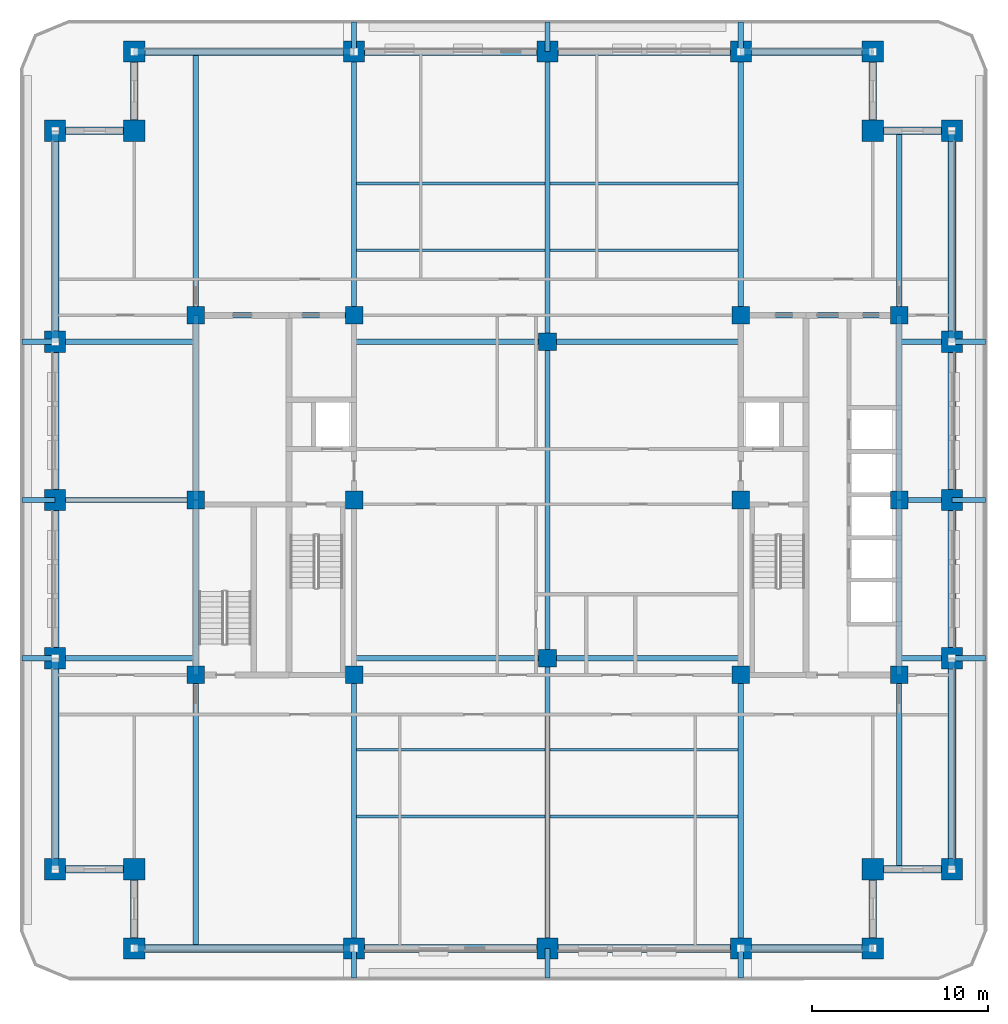
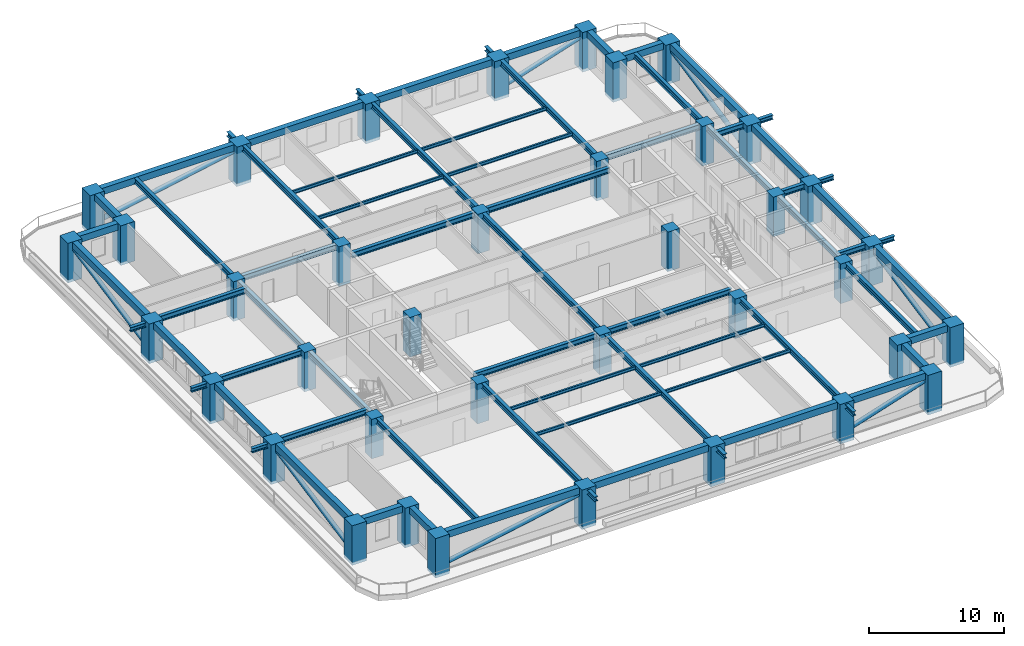
# One storey, part 1 of 14: 71 beams, 38 columns, 8 members.
"""IFC4 building model written with IfcOpenShell, lengths in metres."""

from ifc_helpers import new_model, si_unit, direction, frame, origin, origin_2d, place, context, subcontext, project, spatial, rectangle, hollow_circle, i_section, extrude, material, material_profile, profile_set, type_object, element, save


model = new_model("IFC4")

# Units and contexts
model_context = context("Model", 3, precision=1e-05, world=origin(), true_north=direction((0.0, 1.0)))
body_context = subcontext(model_context, "Body", "Model", "MODEL_VIEW")
ifc_project = project(units=[si_unit("LENGTHUNIT", "METRE"), si_unit("AREAUNIT", "SQUARE_METRE"), si_unit("VOLUMEUNIT", "CUBIC_METRE"), si_unit("PLANEANGLEUNIT", "RADIAN"), si_unit("MASSUNIT", "GRAM", prefix="KILO")], contexts=[model_context])

# Site, building, storey
site_placement = place(None, origin())
site = spatial("IfcSite", under=ifc_project, at=site_placement, CompositionType="ELEMENT")
building_placement = place(site_placement, origin())
building = spatial("IfcBuilding", under=site, at=building_placement, Name="Zulmaris Gate Convention Tower", CompositionType="ELEMENT")
storey_placement = place(building_placement, frame((0.0, 0.0, 135.6298828125)))
storey = spatial("IfcBuildingStorey", under=building, at=storey_placement, Name="L34", CompositionType="ELEMENT", Elevation=135.6298828125)

# Columns
ifc_material_1 = material(Name="Concrete C60/75", Category="concrete")
ifc_material_profile_1 = material_profile(ifc_material_1, rectangle(XDim=1.0, YDim=1.0, at=origin_2d()), Name="RC COL 1000x1000")
ifc_profile_set_1 = profile_set([ifc_material_profile_1], Name="Concrete C60/75")
column_type_1 = type_object("IfcColumnType", Name="COL-RC1000", PredefinedType="COLUMN", material=ifc_profile_set_1)
for number, where, z_axis, x_axis, name in (
    (1, (-20.0, -9.949951171875, -0.25), (0.0, 0.0, 1.0), (1.0, 0.0, 0.0), "L34 Column IN--20.00_-9.95"),
    (2, (-20.0, 10.5, -0.25), (0.0, 0.0, 1.0), (1.0, 0.0, 0.0), "L34 Column IN--20.00_+10.50"),
    (3, (-11.0, -9.949951171875, -0.25), (0.0, 0.0, 1.0), (1.0, 0.0, 0.0), "L34 Column IN--11.00_-9.95"),
    (4, (-11.0, 0.0, -0.25), (0.0, 0.0, 1.0), (1.0, 0.0, 0.0), "L34 Column IN--11.00_+0.00"),
    (5, (-11.0, 10.5, -0.25), (0.0, 0.0, 1.0), (1.0, 0.0, 0.0), "L34 Column IN--11.00_+10.50"),
    (6, (11.0, -9.949951171875, -0.25), (0.0, 0.0, 1.0), (1.0, 0.0, 0.0), "L34 Column IN-+11.00_-9.95"),
    (7, (11.0, 0.0, -0.25), (0.0, 0.0, 1.0), (1.0, 0.0, 0.0), "L34 Column IN-+11.00_+0.00"),
    (8, (11.0, 10.5, -0.25), (0.0, 0.0, 1.0), (1.0, 0.0, 0.0), "L34 Column IN-+11.00_+10.50"),
    (9, (20.0, -9.949951171875, -0.25), (0.0, 0.0, 1.0), (1.0, 0.0, 0.0), "L34 Column IN-+20.00_-9.95"),
    (10, (20.0, 10.5, -0.25), (0.0, 0.0, 1.0), (1.0, 0.0, 0.0), "L34 Column IN-+20.00_+10.50"),
    (11, (0.0, -9.0, -0.25), (0.0, 0.0, 1.0), (1.0, 0.0, 0.0), "L34 Column IN-+0.00_-9.00"),
    (12, (0.0, 9.0, -0.25), (0.0, 0.0, 1.0), (1.0, 0.0, 0.0), "L34 Column IN-+0.00_+9.00"),
    (13, (-20.0, 0.0, -0.25), (0.0, 0.0, 1.0), (1.0, 0.0, 0.0), "L34 Column IN--20.00_+0.00"),
    (14, (20.0, 0.0, -0.25), (0.0, 0.0, 1.0), (1.0, 0.0, 0.0), "L34 Column IN-+20.00_+0.00"),
):
    element("IfcColumn", number, at=place(storey_placement, frame(where, z_axis=z_axis, x_axis=x_axis)), inside=storey, type_object=column_type_1, Name=name, PredefinedType="COLUMN", context=body_context, shape_type="SweptSolid", body=[
        extrude(rectangle(XDim=1.0, YDim=1.0, at=origin_2d()), origin(), (0.0, 0.0, 1.0), 3.570068359375),
    ])
ifc_material_2 = material(Name="Concrete C70/85", Category="concrete")
ifc_material_profile_2 = material_profile(ifc_material_2, rectangle(XDim=1.199951171875, YDim=1.199951171875, at=origin_2d()), Name="RC COL 1200x1200")
ifc_profile_set_2 = profile_set([ifc_material_profile_2], Name="Concrete C70/85")
column_type_2 = type_object("IfcColumnType", Name="COL-RC1200", PredefinedType="COLUMN", material=ifc_profile_set_2)
for number, where, z_axis, x_axis, name in (
    (15, (-23.5, -25.5, -0.25), (0.0, 0.0, 1.0), (1.0, 0.0, 0.0), "L34 Column PT--23.50_-25.50"),
    (16, (-11.0, -25.5, -0.25), (0.0, 0.0, 1.0), (1.0, 0.0, 0.0), "L34 Column PT--11.00_-25.50"),
    (17, (0.0, -25.5, -0.25), (0.0, 0.0, 1.0), (1.0, 0.0, 0.0), "L34 Column PT-+0.00_-25.50"),
    (18, (11.0, -25.5, -0.25), (0.0, 0.0, 1.0), (1.0, 0.0, 0.0), "L34 Column PT-+11.00_-25.50"),
    (19, (18.5, -25.5, -0.25), (0.0, 0.0, 1.0), (1.0, 0.0, 0.0), "L34 Column PT-+18.50_-25.50"),
    (20, (-23.5, 25.5, -0.25), (0.0, 0.0, 1.0), (1.0, 0.0, 0.0), "L34 Column PT--23.50_+25.50"),
    (21, (-11.0, 25.5, -0.25), (0.0, 0.0, 1.0), (1.0, 0.0, 0.0), "L34 Column PT--11.00_+25.50"),
    (22, (0.0, 25.5, -0.25), (0.0, 0.0, 1.0), (1.0, 0.0, 0.0), "L34 Column PT-+0.00_+25.50"),
    (23, (11.0, 25.5, -0.25), (0.0, 0.0, 1.0), (1.0, 0.0, 0.0), "L34 Column PT-+11.00_+25.50"),
    (24, (18.5, 25.5, -0.25), (0.0, 0.0, 1.0), (1.0, 0.0, 0.0), "L34 Column PT-+18.50_+25.50"),
    (25, (-28.0, -21.0, -0.25), (0.0, 0.0, 1.0), (1.0, 0.0, 0.0), "L34 Column PT--28.00_-21.00"),
    (26, (-28.0, -9.0, -0.25), (0.0, 0.0, 1.0), (1.0, 0.0, 0.0), "L34 Column PT--28.00_-9.00"),
    (27, (-28.0, 0.0, -0.25), (0.0, 0.0, 1.0), (1.0, 0.0, 0.0), "L34 Column PT--28.00_+0.00"),
    (28, (-28.0, 9.0, -0.25), (0.0, 0.0, 1.0), (1.0, 0.0, 0.0), "L34 Column PT--28.00_+9.00"),
    (29, (-28.0, 21.0, -0.25), (0.0, 0.0, 1.0), (1.0, 0.0, 0.0), "L34 Column PT--28.00_+21.00"),
    (30, (23.0, -21.0, -0.25), (0.0, 0.0, 1.0), (1.0, 0.0, 0.0), "L34 Column PT-+23.00_-21.00"),
    (31, (23.0, -9.0, -0.25), (0.0, 0.0, 1.0), (1.0, 0.0, 0.0), "L34 Column PT-+23.00_-9.00"),
    (32, (23.0, 0.0, -0.25), (0.0, 0.0, 1.0), (1.0, 0.0, 0.0), "L34 Column PT-+23.00_+0.00"),
    (33, (23.0, 9.0, -0.25), (0.0, 0.0, 1.0), (1.0, 0.0, 0.0), "L34 Column PT-+23.00_+9.00"),
    (34, (23.0, 21.0, -0.25), (0.0, 0.0, 1.0), (1.0, 0.0, 0.0), "L34 Column PT-+23.00_+21.00"),
    (35, (-23.5, -21.0, -0.25), (0.0, 0.0, 1.0), (1.0, 0.0, 0.0), "L34 Column PT--23.50_-21.00"),
    (36, (18.5, -21.0, -0.25), (0.0, 0.0, 1.0), (1.0, 0.0, 0.0), "L34 Column PT-+18.50_-21.00"),
    (37, (18.5, 21.0, -0.25), (0.0, 0.0, 1.0), (1.0, 0.0, 0.0), "L34 Column PT-+18.50_+21.00"),
    (38, (-23.5, 21.0, -0.25), (0.0, 0.0, 1.0), (1.0, 0.0, 0.0), "L34 Column PT--23.50_+21.00"),
):
    element("IfcColumn", number, at=place(storey_placement, frame(where, z_axis=z_axis, x_axis=x_axis)), inside=storey, type_object=column_type_2, Name=name, PredefinedType="COLUMN", context=body_context, shape_type="SweptSolid", body=[
        extrude(rectangle(XDim=1.199951171875, YDim=1.199951171875, at=origin_2d()), origin(), (0.0, 0.0, 1.0), 3.570068359375),
    ])

# Beams
ifc_material_3 = material(Name="Steel S355", Category="steel")
ifc_material_profile_3 = material_profile(ifc_material_3, i_section(OverallWidth=0.300048828125, OverallDepth=0.39990234375, WebThickness=0.013427734375, FlangeThickness=0.02392578125, FilletRadius=0.027099609375, at=origin_2d()), Name="HEB 400")
ifc_profile_set_3 = profile_set([ifc_material_profile_3], Name="Steel S355")
beam_type_1 = type_object("IfcBeamType", Name="BM-HEB400", PredefinedType="BEAM", material=ifc_profile_set_3)
for number, where, z_axis, x_axis, name in (
    (39, (-11.0, -27.199951171875, 2.980224609375), (0.0, 1.0, 0.0), (-1.0, 0.0, 0.0), "L34 Beam TBRK-L34-S--11"),
    (40, (-11.0, 25.5, 2.980224609375), (0.0, 1.0, 0.0), (-1.0, 0.0, 0.0), "L34 Beam TBRK-L34-N--11"),
    (41, (0.0, -27.199951171875, 2.980224609375), (0.0, 1.0, 0.0), (-1.0, 0.0, 0.0), "L34 Beam TBRK-L34-S-+0"),
    (42, (0.0, 25.5, 2.980224609375), (0.0, 1.0, 0.0), (-1.0, 0.0, 0.0), "L34 Beam TBRK-L34-N-+0"),
    (43, (11.0, -27.199951171875, 2.980224609375), (0.0, 1.0, 0.0), (-1.0, 0.0, 0.0), "L34 Beam TBRK-L34-S-+11"),
    (44, (11.0, 25.5, 2.980224609375), (0.0, 1.0, 0.0), (-1.0, 0.0, 0.0), "L34 Beam TBRK-L34-N-+11"),
):
    element("IfcBeam", number, at=place(storey_placement, frame(where, z_axis=z_axis, x_axis=x_axis)), inside=storey, type_object=beam_type_1, Name=name, PredefinedType="BEAM", context=body_context, shape_type="SweptSolid", body=[
        extrude(i_section(OverallWidth=0.300048828125, OverallDepth=0.39990234375, WebThickness=0.013427734375, FlangeThickness=0.02392578125, FilletRadius=0.027099609375, at=origin_2d()), origin(), (0.0, 0.0, 1.0), 1.699951171875),
    ])
for number, where, z_axis, x_axis, name in (
    (45, (-29.89990234375, -9.0, 2.980224609375), (1.0, 0.0, 0.0), (0.0, 1.0, 0.0), "L34 Beam TBRK-L34-W--9"),
    (46, (23.0, -9.0, 2.980224609375), (1.0, 0.0, 0.0), (0.0, 1.0, 0.0), "L34 Beam TBRK-L34-E--9"),
    (47, (-29.89990234375, 0.0, 2.980224609375), (1.0, 0.0, 0.0), (0.0, 1.0, 0.0), "L34 Beam TBRK-L34-W-+0"),
    (48, (23.0, 0.0, 2.980224609375), (1.0, 0.0, 0.0), (0.0, 1.0, 0.0), "L34 Beam TBRK-L34-E-+0"),
    (49, (-29.89990234375, 9.0, 2.980224609375), (1.0, 0.0, 0.0), (0.0, 1.0, 0.0), "L34 Beam TBRK-L34-W-+9"),
    (50, (23.0, 9.0, 2.980224609375), (1.0, 0.0, 0.0), (0.0, 1.0, 0.0), "L34 Beam TBRK-L34-E-+9"),
):
    element("IfcBeam", number, at=place(storey_placement, frame(where, z_axis=z_axis, x_axis=x_axis)), inside=storey, type_object=beam_type_1, Name=name, PredefinedType="BEAM", context=body_context, shape_type="SweptSolid", body=[
        extrude(i_section(OverallWidth=0.300048828125, OverallDepth=0.39990234375, WebThickness=0.013427734375, FlangeThickness=0.02392578125, FilletRadius=0.027099609375, at=origin_2d()), origin(), (0.0, 0.0, 1.0), 1.89990234375),
    ])
ifc_material_profile_4 = material_profile(ifc_material_3, i_section(OverallWidth=0.300048828125, OverallDepth=0.5, WebThickness=0.014404296875, FlangeThickness=0.028076171875, FilletRadius=0.027099609375, at=origin_2d()), Name="HEB 500")
ifc_profile_set_4 = profile_set([ifc_material_profile_4], Name="Steel S355")
beam_type_2 = type_object("IfcBeamType", Name="BM-HEB500", PredefinedType="BEAM", material=ifc_profile_set_4)
for number, where, z_axis, x_axis, name in (
    (51, (-11.0, -9.0, 3.068115234375), (1.0, 0.0, 0.0), (0.0, 1.0, 0.0), "L34 Beam BM-L34-G01"),
    (52, (0.0, -9.0, 3.068115234375), (1.0, 0.0, 0.0), (0.0, 1.0, 0.0), "L34 Beam BM-L34-G02"),
    (53, (-11.0, 9.0, 3.068115234375), (1.0, 0.0, 0.0), (0.0, 1.0, 0.0), "L34 Beam BM-L34-G03"),
    (54, (0.0, 9.0, 3.068115234375), (1.0, 0.0, 0.0), (0.0, 1.0, 0.0), "L34 Beam BM-L34-G04"),
):
    element("IfcBeam", number, at=place(storey_placement, frame(where, z_axis=z_axis, x_axis=x_axis)), inside=storey, type_object=beam_type_2, Name=name, PredefinedType="BEAM", context=body_context, shape_type="SweptSolid", body=[
        extrude(i_section(OverallWidth=0.300048828125, OverallDepth=0.5, WebThickness=0.014404296875, FlangeThickness=0.028076171875, FilletRadius=0.027099609375, at=origin_2d()), origin(), (0.0, 0.0, 1.0), 11.0),
    ])
beam_1_placement = place(storey_placement, frame((0.0, -25.5, 3.068115234375), z_axis=(0.0, 1.0, 0.0), x_axis=(-1.0, 0.0, 0.0)))
element("IfcBeam", 55, at=beam_1_placement, inside=storey, type_object=beam_type_2, Name="L34 Beam BM-L34-G05", PredefinedType="BEAM", context=body_context, shape_type="SweptSolid", body=[
    extrude(i_section(OverallWidth=0.300048828125, OverallDepth=0.5, WebThickness=0.014404296875, FlangeThickness=0.028076171875, FilletRadius=0.027099609375, at=origin_2d()), origin(), (0.0, 0.0, 1.0), 16.5),
])
beam_2_placement = place(storey_placement, frame((0.0, -9.0, 3.068115234375), z_axis=(0.0, 1.0, 0.0), x_axis=(-1.0, 0.0, 0.0)))
element("IfcBeam", 56, at=beam_2_placement, inside=storey, type_object=beam_type_2, Name="L34 Beam BM-L34-G06", PredefinedType="BEAM", context=body_context, shape_type="SweptSolid", body=[
    extrude(i_section(OverallWidth=0.300048828125, OverallDepth=0.5, WebThickness=0.014404296875, FlangeThickness=0.028076171875, FilletRadius=0.027099609375, at=origin_2d()), origin(), (0.0, 0.0, 1.0), 18.0),
])
beam_3_placement = place(storey_placement, frame((0.0, 9.0, 3.068115234375), z_axis=(0.0, 1.0, 0.0), x_axis=(-1.0, 0.0, 0.0)))
element("IfcBeam", 57, at=beam_3_placement, inside=storey, type_object=beam_type_2, Name="L34 Beam BM-L34-G07", PredefinedType="BEAM", context=body_context, shape_type="SweptSolid", body=[
    extrude(i_section(OverallWidth=0.300048828125, OverallDepth=0.5, WebThickness=0.014404296875, FlangeThickness=0.028076171875, FilletRadius=0.027099609375, at=origin_2d()), origin(), (0.0, 0.0, 1.0), 16.5),
])
beam_4_placement = place(storey_placement, frame((-11.0, -25.5, 3.068115234375), z_axis=(0.0, 1.0, 0.0), x_axis=(-1.0, 0.0, 0.0)))
element("IfcBeam", 58, at=beam_4_placement, inside=storey, type_object=beam_type_2, Name="L34 Beam BM-L34-G08", PredefinedType="BEAM", context=body_context, shape_type="SweptSolid", body=[
    extrude(i_section(OverallWidth=0.300048828125, OverallDepth=0.5, WebThickness=0.014404296875, FlangeThickness=0.028076171875, FilletRadius=0.027099609375, at=origin_2d()), origin(), (0.0, 0.0, 1.0), 15.550048828125),
])
beam_5_placement = place(storey_placement, frame((-11.0, 10.5, 3.068115234375), z_axis=(0.0, 1.0, 0.0), x_axis=(-1.0, 0.0, 0.0)))
element("IfcBeam", 59, at=beam_5_placement, inside=storey, type_object=beam_type_2, Name="L34 Beam BM-L34-G09", PredefinedType="BEAM", context=body_context, shape_type="SweptSolid", body=[
    extrude(i_section(OverallWidth=0.300048828125, OverallDepth=0.5, WebThickness=0.014404296875, FlangeThickness=0.028076171875, FilletRadius=0.027099609375, at=origin_2d()), origin(), (0.0, 0.0, 1.0), 15.0),
])
beam_6_placement = place(storey_placement, frame((11.0, -25.5, 3.068115234375), z_axis=(0.0, 1.0, 0.0), x_axis=(-1.0, 0.0, 0.0)))
element("IfcBeam", 60, at=beam_6_placement, inside=storey, type_object=beam_type_2, Name="L34 Beam BM-L34-G10", PredefinedType="BEAM", context=body_context, shape_type="SweptSolid", body=[
    extrude(i_section(OverallWidth=0.300048828125, OverallDepth=0.5, WebThickness=0.014404296875, FlangeThickness=0.028076171875, FilletRadius=0.027099609375, at=origin_2d()), origin(), (0.0, 0.0, 1.0), 15.550048828125),
])
beam_7_placement = place(storey_placement, frame((11.0, 10.5, 3.068115234375), z_axis=(0.0, 1.0, 0.0), x_axis=(-1.0, 0.0, 0.0)))
element("IfcBeam", 61, at=beam_7_placement, inside=storey, type_object=beam_type_2, Name="L34 Beam BM-L34-G11", PredefinedType="BEAM", context=body_context, shape_type="SweptSolid", body=[
    extrude(i_section(OverallWidth=0.300048828125, OverallDepth=0.5, WebThickness=0.014404296875, FlangeThickness=0.028076171875, FilletRadius=0.027099609375, at=origin_2d()), origin(), (0.0, 0.0, 1.0), 15.0),
])
beam_8_placement = place(storey_placement, frame((-20.0, -25.5, 3.068115234375), z_axis=(0.0, 1.0, 0.0), x_axis=(-1.0, 0.0, 0.0)))
element("IfcBeam", 62, at=beam_8_placement, inside=storey, type_object=beam_type_2, Name="L34 Beam BM-L34-G12", PredefinedType="BEAM", context=body_context, shape_type="SweptSolid", body=[
    extrude(i_section(OverallWidth=0.300048828125, OverallDepth=0.5, WebThickness=0.014404296875, FlangeThickness=0.028076171875, FilletRadius=0.027099609375, at=origin_2d()), origin(), (0.0, 0.0, 1.0), 15.550048828125),
])
beam_9_placement = place(storey_placement, frame((-20.0, 10.5, 3.068115234375), z_axis=(0.0, 1.0, 0.0), x_axis=(-1.0, 0.0, 0.0)))
element("IfcBeam", 63, at=beam_9_placement, inside=storey, type_object=beam_type_2, Name="L34 Beam BM-L34-G13", PredefinedType="BEAM", context=body_context, shape_type="SweptSolid", body=[
    extrude(i_section(OverallWidth=0.300048828125, OverallDepth=0.5, WebThickness=0.014404296875, FlangeThickness=0.028076171875, FilletRadius=0.027099609375, at=origin_2d()), origin(), (0.0, 0.0, 1.0), 15.0),
])
beam_10_placement = place(storey_placement, frame((20.0, -21.0, 3.068115234375), z_axis=(0.0, 1.0, 0.0), x_axis=(-1.0, 0.0, 0.0)))
element("IfcBeam", 64, at=beam_10_placement, inside=storey, type_object=beam_type_2, Name="L34 Beam BM-L34-G14", PredefinedType="BEAM", context=body_context, shape_type="SweptSolid", body=[
    extrude(i_section(OverallWidth=0.300048828125, OverallDepth=0.5, WebThickness=0.014404296875, FlangeThickness=0.028076171875, FilletRadius=0.027099609375, at=origin_2d()), origin(), (0.0, 0.0, 1.0), 11.050048828125),
])
beam_11_placement = place(storey_placement, frame((20.0, 10.5, 3.068115234375), z_axis=(0.0, 1.0, 0.0), x_axis=(-1.0, 0.0, 0.0)))
element("IfcBeam", 65, at=beam_11_placement, inside=storey, type_object=beam_type_2, Name="L34 Beam BM-L34-G15", PredefinedType="BEAM", context=body_context, shape_type="SweptSolid", body=[
    extrude(i_section(OverallWidth=0.300048828125, OverallDepth=0.5, WebThickness=0.014404296875, FlangeThickness=0.028076171875, FilletRadius=0.027099609375, at=origin_2d()), origin(), (0.0, 0.0, 1.0), 10.5),
])
for number, where, z_axis, x_axis, name in (
    (66, (-28.0, -9.0, 3.068115234375), (1.0, 0.0, 0.0), (0.0, 1.0, 0.0), "L34 Beam BM-L34-G16"),
    (67, (-28.0, 0.0, 3.068115234375), (1.0, 0.0, 0.0), (0.0, 1.0, 0.0), "L34 Beam BM-L34-G17"),
    (68, (-28.0, 9.0, 3.068115234375), (1.0, 0.0, 0.0), (0.0, 1.0, 0.0), "L34 Beam BM-L34-G18"),
):
    element("IfcBeam", number, at=place(storey_placement, frame(where, z_axis=z_axis, x_axis=x_axis)), inside=storey, type_object=beam_type_2, Name=name, PredefinedType="BEAM", context=body_context, shape_type="SweptSolid", body=[
        extrude(i_section(OverallWidth=0.300048828125, OverallDepth=0.5, WebThickness=0.014404296875, FlangeThickness=0.028076171875, FilletRadius=0.027099609375, at=origin_2d()), origin(), (0.0, 0.0, 1.0), 8.0),
    ])
for number, where, z_axis, x_axis, name in (
    (69, (20.0, -9.0, 3.068115234375), (1.0, 0.0, 0.0), (0.0, 1.0, 0.0), "L34 Beam BM-L34-G19"),
    (70, (20.0, 0.0, 3.068115234375), (1.0, 0.0, 0.0), (0.0, 1.0, 0.0), "L34 Beam BM-L34-G20"),
    (71, (20.0, 9.0, 3.068115234375), (1.0, 0.0, 0.0), (0.0, 1.0, 0.0), "L34 Beam BM-L34-G21"),
):
    element("IfcBeam", number, at=place(storey_placement, frame(where, z_axis=z_axis, x_axis=x_axis)), inside=storey, type_object=beam_type_2, Name=name, PredefinedType="BEAM", context=body_context, shape_type="SweptSolid", body=[
        extrude(i_section(OverallWidth=0.300048828125, OverallDepth=0.5, WebThickness=0.014404296875, FlangeThickness=0.028076171875, FilletRadius=0.027099609375, at=origin_2d()), origin(), (0.0, 0.0, 1.0), 3.0),
    ])
for number, where, z_axis, x_axis, name in (
    (72, (-20.0, 10.5, 3.068115234375), (1.0, 0.0, 0.0), (0.0, 1.0, 0.0), "L34 Beam BM-L34-G23"),
    (73, (11.0, 10.5, 3.068115234375), (1.0, 0.0, 0.0), (0.0, 1.0, 0.0), "L34 Beam BM-L34-G25"),
):
    element("IfcBeam", number, at=place(storey_placement, frame(where, z_axis=z_axis, x_axis=x_axis)), inside=storey, type_object=beam_type_2, Name=name, PredefinedType="BEAM", context=body_context, shape_type="SweptSolid", body=[
        extrude(i_section(OverallWidth=0.300048828125, OverallDepth=0.5, WebThickness=0.014404296875, FlangeThickness=0.028076171875, FilletRadius=0.027099609375, at=origin_2d()), origin(), (0.0, 0.0, 1.0), 9.0),
    ])
beam_12_placement = place(storey_placement, frame((-20.0, -9.949951171875, 3.068115234375), z_axis=(0.0, 1.0, 0.0), x_axis=(-1.0, 0.0, 0.0)))
element("IfcBeam", 74, at=beam_12_placement, inside=storey, type_object=beam_type_2, Name="L34 Beam BM-L34-G26", PredefinedType="BEAM", context=body_context, shape_type="SweptSolid", body=[
    extrude(i_section(OverallWidth=0.300048828125, OverallDepth=0.5, WebThickness=0.014404296875, FlangeThickness=0.028076171875, FilletRadius=0.027099609375, at=origin_2d()), origin(), (0.0, 0.0, 1.0), 9.949951171875),
])
beam_13_placement = place(storey_placement, frame((-20.0, 0.0, 3.068115234375), z_axis=(0.0, 1.0, 0.0), x_axis=(-1.0, 0.0, 0.0)))
element("IfcBeam", 75, at=beam_13_placement, inside=storey, type_object=beam_type_2, Name="L34 Beam BM-L34-G27", PredefinedType="BEAM", context=body_context, shape_type="SweptSolid", body=[
    extrude(i_section(OverallWidth=0.300048828125, OverallDepth=0.5, WebThickness=0.014404296875, FlangeThickness=0.028076171875, FilletRadius=0.027099609375, at=origin_2d()), origin(), (0.0, 0.0, 1.0), 10.5),
])
beam_14_placement = place(storey_placement, frame((20.0, -9.949951171875, 3.068115234375), z_axis=(0.0, 1.0, 0.0), x_axis=(-1.0, 0.0, 0.0)))
element("IfcBeam", 76, at=beam_14_placement, inside=storey, type_object=beam_type_2, Name="L34 Beam BM-L34-G28", PredefinedType="BEAM", context=body_context, shape_type="SweptSolid", body=[
    extrude(i_section(OverallWidth=0.300048828125, OverallDepth=0.5, WebThickness=0.014404296875, FlangeThickness=0.028076171875, FilletRadius=0.027099609375, at=origin_2d()), origin(), (0.0, 0.0, 1.0), 9.949951171875),
])
beam_15_placement = place(storey_placement, frame((20.0, 0.0, 3.068115234375), z_axis=(0.0, 1.0, 0.0), x_axis=(-1.0, 0.0, 0.0)))
element("IfcBeam", 77, at=beam_15_placement, inside=storey, type_object=beam_type_2, Name="L34 Beam BM-L34-G29", PredefinedType="BEAM", context=body_context, shape_type="SweptSolid", body=[
    extrude(i_section(OverallWidth=0.300048828125, OverallDepth=0.5, WebThickness=0.014404296875, FlangeThickness=0.028076171875, FilletRadius=0.027099609375, at=origin_2d()), origin(), (0.0, 0.0, 1.0), 10.5),
])
ifc_material_4 = material(Name="Precast concrete C50/60", Category="concrete")
ifc_material_profile_5 = material_profile(ifc_material_4, rectangle(XDim=0.449951171875, YDim=0.60009765625, at=origin_2d()), Name="RC SPANDREL 450x600")
ifc_profile_set_5 = profile_set([ifc_material_profile_5], Name="Precast concrete C50/60")
beam_type_3 = type_object("IfcBeamType", Name="BM-SP450x600", PredefinedType="SPANDREL", material=ifc_profile_set_5)
beam_16_placement = place(storey_placement, frame((-23.5, -25.5, 3.02001953125), z_axis=(1.0, 0.0, 0.0), x_axis=(0.0, 1.0, 0.0)))
element("IfcBeam", 78, at=beam_16_placement, inside=storey, type_object=beam_type_3, Name="L34 Spandrel SP-L34-01", PredefinedType="SPANDREL", context=body_context, shape_type="SweptSolid", body=[
    extrude(rectangle(XDim=0.449951171875, YDim=0.60009765625, at=origin_2d()), origin(), (0.0, 0.0, 1.0), 12.5),
])
for number, where, z_axis, x_axis, name in (
    (79, (-11.0, -25.5, 3.02001953125), (1.0, 0.0, 0.0), (0.0, 1.0, 0.0), "L34 Spandrel SP-L34-02"),
    (80, (0.0, -25.5, 3.02001953125), (1.0, 0.0, 0.0), (0.0, 1.0, 0.0), "L34 Spandrel SP-L34-03"),
):
    element("IfcBeam", number, at=place(storey_placement, frame(where, z_axis=z_axis, x_axis=x_axis)), inside=storey, type_object=beam_type_3, Name=name, PredefinedType="SPANDREL", context=body_context, shape_type="SweptSolid", body=[
        extrude(rectangle(XDim=0.449951171875, YDim=0.60009765625, at=origin_2d()), origin(), (0.0, 0.0, 1.0), 11.0),
    ])
beam_17_placement = place(storey_placement, frame((11.0, -25.5, 3.02001953125), z_axis=(1.0, 0.0, 0.0), x_axis=(0.0, 1.0, 0.0)))
element("IfcBeam", 81, at=beam_17_placement, inside=storey, type_object=beam_type_3, Name="L34 Spandrel SP-L34-04", PredefinedType="SPANDREL", context=body_context, shape_type="SweptSolid", body=[
    extrude(rectangle(XDim=0.449951171875, YDim=0.60009765625, at=origin_2d()), origin(), (0.0, 0.0, 1.0), 7.5),
])
for number, where, z_axis, x_axis, name in (
    (82, (18.5, -25.5, 3.02001953125), (0.0, 1.0, 0.0), (-1.0, 0.0, 0.0), "L34 Spandrel SP-L34-05"),
    (83, (18.5, -21.0, 3.02001953125), (1.0, 0.0, 0.0), (0.0, 1.0, 0.0), "L34 Spandrel SP-L34-06"),
):
    element("IfcBeam", number, at=place(storey_placement, frame(where, z_axis=z_axis, x_axis=x_axis)), inside=storey, type_object=beam_type_3, Name=name, PredefinedType="SPANDREL", context=body_context, shape_type="SweptSolid", body=[
        extrude(rectangle(XDim=0.449951171875, YDim=0.60009765625, at=origin_2d()), origin(), (0.0, 0.0, 1.0), 4.5),
    ])
beam_18_placement = place(storey_placement, frame((23.0, -21.0, 3.02001953125), z_axis=(0.0, 1.0, 0.0), x_axis=(-1.0, 0.0, 0.0)))
element("IfcBeam", 84, at=beam_18_placement, inside=storey, type_object=beam_type_3, Name="L34 Spandrel SP-L34-07", PredefinedType="SPANDREL", context=body_context, shape_type="SweptSolid", body=[
    extrude(rectangle(XDim=0.449951171875, YDim=0.60009765625, at=origin_2d()), origin(), (0.0, 0.0, 1.0), 12.0),
])
for number, where, z_axis, x_axis, name in (
    (85, (23.0, -9.0, 3.02001953125), (0.0, 1.0, 0.0), (-1.0, 0.0, 0.0), "L34 Spandrel SP-L34-08"),
    (86, (23.0, 0.0, 3.02001953125), (0.0, 1.0, 0.0), (-1.0, 0.0, 0.0), "L34 Spandrel SP-L34-09"),
):
    element("IfcBeam", number, at=place(storey_placement, frame(where, z_axis=z_axis, x_axis=x_axis)), inside=storey, type_object=beam_type_3, Name=name, PredefinedType="SPANDREL", context=body_context, shape_type="SweptSolid", body=[
        extrude(rectangle(XDim=0.449951171875, YDim=0.60009765625, at=origin_2d()), origin(), (0.0, 0.0, 1.0), 9.0),
    ])
beam_19_placement = place(storey_placement, frame((23.0, 9.0, 3.02001953125), z_axis=(0.0, 1.0, 0.0), x_axis=(-1.0, 0.0, 0.0)))
element("IfcBeam", 87, at=beam_19_placement, inside=storey, type_object=beam_type_3, Name="L34 Spandrel SP-L34-10", PredefinedType="SPANDREL", context=body_context, shape_type="SweptSolid", body=[
    extrude(rectangle(XDim=0.449951171875, YDim=0.60009765625, at=origin_2d()), origin(), (0.0, 0.0, 1.0), 12.0),
])
for number, where, z_axis, x_axis, name in (
    (88, (23.0, 21.0, 3.02001953125), (-1.0, 0.0, 0.0), (0.0, -1.0, 0.0), "L34 Spandrel SP-L34-11"),
    (89, (18.5, 21.0, 3.02001953125), (0.0, 1.0, 0.0), (-1.0, 0.0, 0.0), "L34 Spandrel SP-L34-12"),
):
    element("IfcBeam", number, at=place(storey_placement, frame(where, z_axis=z_axis, x_axis=x_axis)), inside=storey, type_object=beam_type_3, Name=name, PredefinedType="SPANDREL", context=body_context, shape_type="SweptSolid", body=[
        extrude(rectangle(XDim=0.449951171875, YDim=0.60009765625, at=origin_2d()), origin(), (0.0, 0.0, 1.0), 4.5),
    ])
beam_20_placement = place(storey_placement, frame((18.5, 25.5, 3.02001953125), z_axis=(-1.0, 0.0, 0.0), x_axis=(0.0, -1.0, 0.0)))
element("IfcBeam", 90, at=beam_20_placement, inside=storey, type_object=beam_type_3, Name="L34 Spandrel SP-L34-13", PredefinedType="SPANDREL", context=body_context, shape_type="SweptSolid", body=[
    extrude(rectangle(XDim=0.449951171875, YDim=0.60009765625, at=origin_2d()), origin(), (0.0, 0.0, 1.0), 7.5),
])
for number, where, z_axis, x_axis, name in (
    (91, (11.0, 25.5, 3.02001953125), (-1.0, 0.0, 0.0), (0.0, -1.0, 0.0), "L34 Spandrel SP-L34-14"),
    (92, (0.0, 25.5, 3.02001953125), (-1.0, 0.0, 0.0), (0.0, -1.0, 0.0), "L34 Spandrel SP-L34-15"),
):
    element("IfcBeam", number, at=place(storey_placement, frame(where, z_axis=z_axis, x_axis=x_axis)), inside=storey, type_object=beam_type_3, Name=name, PredefinedType="SPANDREL", context=body_context, shape_type="SweptSolid", body=[
        extrude(rectangle(XDim=0.449951171875, YDim=0.60009765625, at=origin_2d()), origin(), (0.0, 0.0, 1.0), 11.0),
    ])
beam_21_placement = place(storey_placement, frame((-11.0, 25.5, 3.02001953125), z_axis=(-1.0, 0.0, 0.0), x_axis=(0.0, -1.0, 0.0)))
element("IfcBeam", 93, at=beam_21_placement, inside=storey, type_object=beam_type_3, Name="L34 Spandrel SP-L34-16", PredefinedType="SPANDREL", context=body_context, shape_type="SweptSolid", body=[
    extrude(rectangle(XDim=0.449951171875, YDim=0.60009765625, at=origin_2d()), origin(), (0.0, 0.0, 1.0), 12.5),
])
for number, where, z_axis, x_axis, name in (
    (94, (-23.5, 25.5, 3.02001953125), (0.0, -1.0, 0.0), (1.0, 0.0, 0.0), "L34 Spandrel SP-L34-17"),
    (95, (-23.5, 21.0, 3.02001953125), (-1.0, 0.0, 0.0), (0.0, -1.0, 0.0), "L34 Spandrel SP-L34-18"),
):
    element("IfcBeam", number, at=place(storey_placement, frame(where, z_axis=z_axis, x_axis=x_axis)), inside=storey, type_object=beam_type_3, Name=name, PredefinedType="SPANDREL", context=body_context, shape_type="SweptSolid", body=[
        extrude(rectangle(XDim=0.449951171875, YDim=0.60009765625, at=origin_2d()), origin(), (0.0, 0.0, 1.0), 4.5),
    ])
beam_22_placement = place(storey_placement, frame((-28.0, 21.0, 3.02001953125), z_axis=(0.0, -1.0, 0.0), x_axis=(1.0, 0.0, 0.0)))
element("IfcBeam", 96, at=beam_22_placement, inside=storey, type_object=beam_type_3, Name="L34 Spandrel SP-L34-19", PredefinedType="SPANDREL", context=body_context, shape_type="SweptSolid", body=[
    extrude(rectangle(XDim=0.449951171875, YDim=0.60009765625, at=origin_2d()), origin(), (0.0, 0.0, 1.0), 12.0),
])
for number, where, z_axis, x_axis, name in (
    (97, (-28.0, 9.0, 3.02001953125), (0.0, -1.0, 0.0), (1.0, 0.0, 0.0), "L34 Spandrel SP-L34-20"),
    (98, (-28.0, 0.0, 3.02001953125), (0.0, -1.0, 0.0), (1.0, 0.0, 0.0), "L34 Spandrel SP-L34-21"),
):
    element("IfcBeam", number, at=place(storey_placement, frame(where, z_axis=z_axis, x_axis=x_axis)), inside=storey, type_object=beam_type_3, Name=name, PredefinedType="SPANDREL", context=body_context, shape_type="SweptSolid", body=[
        extrude(rectangle(XDim=0.449951171875, YDim=0.60009765625, at=origin_2d()), origin(), (0.0, 0.0, 1.0), 9.0),
    ])
beam_23_placement = place(storey_placement, frame((-28.0, -9.0, 3.02001953125), z_axis=(0.0, -1.0, 0.0), x_axis=(1.0, 0.0, 0.0)))
element("IfcBeam", 99, at=beam_23_placement, inside=storey, type_object=beam_type_3, Name="L34 Spandrel SP-L34-22", PredefinedType="SPANDREL", context=body_context, shape_type="SweptSolid", body=[
    extrude(rectangle(XDim=0.449951171875, YDim=0.60009765625, at=origin_2d()), origin(), (0.0, 0.0, 1.0), 12.0),
])
for number, where, z_axis, x_axis, name in (
    (100, (-28.0, -21.0, 3.02001953125), (1.0, 0.0, 0.0), (0.0, 1.0, 0.0), "L34 Spandrel SP-L34-23"),
    (101, (-23.5, -21.0, 3.02001953125), (0.0, -1.0, 0.0), (1.0, 0.0, 0.0), "L34 Spandrel SP-L34-24"),
):
    element("IfcBeam", number, at=place(storey_placement, frame(where, z_axis=z_axis, x_axis=x_axis)), inside=storey, type_object=beam_type_3, Name=name, PredefinedType="SPANDREL", context=body_context, shape_type="SweptSolid", body=[
        extrude(rectangle(XDim=0.449951171875, YDim=0.60009765625, at=origin_2d()), origin(), (0.0, 0.0, 1.0), 4.5),
    ])

# Members
ifc_material_5 = material(Name="Steel S460", Category="steel")
ifc_material_profile_6 = material_profile(ifc_material_5, hollow_circle(Radius=0.203125, WallThickness=0.02001953125, at=origin_2d()), Name="CHS 406.4x20")
ifc_profile_set_6 = profile_set([ifc_material_profile_6], Name="Steel S460")
member_type = type_object("IfcMemberType", Name="BR-CHS406", PredefinedType="BRACE", material=ifc_profile_set_6)
for number, where, z_axis, x_axis, name in (
    (102, (-28.0, -21.0, 0.300048828125), (0.0, 0.98057837371, 0.196127644693), (-1.0, 0.0, 0.0), "L34 Perimeter Tube Diagonal SW-W"),
    (103, (-28.0, 9.0, 0.300048828125), (0.0, 0.98057837371, 0.196127644693), (-1.0, 0.0, 0.0), "L34 Perimeter Tube Diagonal NW-W"),
    (104, (23.0, -21.0, 0.300048828125), (0.0, 0.98057837371, 0.196127644693), (-1.0, 0.0, 0.0), "L34 Perimeter Tube Diagonal SE-E"),
    (105, (23.0, 9.0, 0.300048828125), (0.0, 0.98057837371, 0.196127644693), (-1.0, 0.0, 0.0), "L34 Perimeter Tube Diagonal NE-E"),
):
    element("IfcMember", number, at=place(storey_placement, frame(where, z_axis=z_axis, x_axis=x_axis)), inside=storey, type_object=member_type, Name=name, PredefinedType="BRACE", context=body_context, shape_type="SweptSolid", body=[
        extrude(hollow_circle(Radius=0.203125, WallThickness=0.02001953125, at=origin_2d()), origin(), (0.0, 0.0, 1.0), 12.23779296875),
    ])
member_1_placement = place(storey_placement, frame((-23.5, -25.5, 0.300048828125), z_axis=(0.982060310408, 0.0, 0.188567088118), x_axis=(0.0, 1.0, 0.0)))
element("IfcMember", 106, at=member_1_placement, inside=storey, type_object=member_type, Name="L34 Perimeter Tube Diagonal SW-S", PredefinedType="BRACE", context=body_context, shape_type="SweptSolid", body=[
    extrude(hollow_circle(Radius=0.203125, WallThickness=0.02001953125, at=origin_2d()), origin(), (0.0, 0.0, 1.0), 12.728271484375),
])
member_2_placement = place(storey_placement, frame((11.0, -25.5, 0.300048828125), z_axis=(0.952418747361, 0.0, 0.304792601084), x_axis=(0.0, 1.0, 0.0)))
element("IfcMember", 107, at=member_2_placement, inside=storey, type_object=member_type, Name="L34 Perimeter Tube Diagonal SE-S", PredefinedType="BRACE", context=body_context, shape_type="SweptSolid", body=[
    extrude(hollow_circle(Radius=0.203125, WallThickness=0.02001953125, at=origin_2d()), origin(), (0.0, 0.0, 1.0), 7.874755859375),
])
member_3_placement = place(storey_placement, frame((-23.5, 25.5, 0.300048828125), z_axis=(0.982060310408, 0.0, 0.188567088118), x_axis=(0.0, 1.0, 0.0)))
element("IfcMember", 108, at=member_3_placement, inside=storey, type_object=member_type, Name="L34 Perimeter Tube Diagonal NW-N", PredefinedType="BRACE", context=body_context, shape_type="SweptSolid", body=[
    extrude(hollow_circle(Radius=0.203125, WallThickness=0.02001953125, at=origin_2d()), origin(), (0.0, 0.0, 1.0), 12.728271484375),
])
member_4_placement = place(storey_placement, frame((11.0, 25.5, 0.300048828125), z_axis=(0.952418747361, 0.0, 0.304792601084), x_axis=(0.0, 1.0, 0.0)))
element("IfcMember", 109, at=member_4_placement, inside=storey, type_object=member_type, Name="L34 Perimeter Tube Diagonal NE-N", PredefinedType="BRACE", context=body_context, shape_type="SweptSolid", body=[
    extrude(hollow_circle(Radius=0.203125, WallThickness=0.02001953125, at=origin_2d()), origin(), (0.0, 0.0, 1.0), 7.874755859375),
])

# Beams
ifc_material_profile_7 = material_profile(ifc_material_3, i_section(OverallWidth=0.14990234375, OverallDepth=0.300048828125, WebThickness=0.007080078125, FlangeThickness=0.0107421875, FilletRadius=0.014892578125, at=origin_2d()), Name="IPE 300")
ifc_profile_set_7 = profile_set([ifc_material_profile_7], Name="Steel S355")
beam_type_4 = type_object("IfcBeamType", Name="JT-IPE300", PredefinedType="JOIST", material=ifc_profile_set_7)
for number, where, z_axis, x_axis, name in (
    (110, (-10.85009765625, -18.0, 3.168212890625), (1.0, 0.0, 0.0), (0.0, 1.0, 0.0), "L34 Joist JT-L34-CW--18.0"),
    (111, (0.14990234375, -18.0, 3.168212890625), (1.0, 0.0, 0.0), (0.0, 1.0, 0.0), "L34 Joist JT-L34-CE--18.0"),
    (112, (-10.85009765625, -14.199951171875, 3.168212890625), (1.0, 0.0, 0.0), (0.0, 1.0, 0.0), "L34 Joist JT-L34-CW--14.2"),
    (113, (0.14990234375, -14.199951171875, 3.168212890625), (1.0, 0.0, 0.0), (0.0, 1.0, 0.0), "L34 Joist JT-L34-CE--14.2"),
    (114, (-10.85009765625, 14.199951171875, 3.168212890625), (1.0, 0.0, 0.0), (0.0, 1.0, 0.0), "L34 Joist JT-L34-CW-+14.2"),
    (115, (0.14990234375, 14.199951171875, 3.168212890625), (1.0, 0.0, 0.0), (0.0, 1.0, 0.0), "L34 Joist JT-L34-CE-+14.2"),
    (116, (-10.85009765625, 18.0, 3.168212890625), (1.0, 0.0, 0.0), (0.0, 1.0, 0.0), "L34 Joist JT-L34-CW-+18.0"),
    (117, (0.14990234375, 18.0, 3.168212890625), (1.0, 0.0, 0.0), (0.0, 1.0, 0.0), "L34 Joist JT-L34-CE-+18.0"),
):
    element("IfcBeam", number, at=place(storey_placement, frame(where, z_axis=z_axis, x_axis=x_axis)), inside=storey, type_object=beam_type_4, Name=name, PredefinedType="JOIST", context=body_context, shape_type="SweptSolid", body=[
        extrude(i_section(OverallWidth=0.14990234375, OverallDepth=0.300048828125, WebThickness=0.007080078125, FlangeThickness=0.0107421875, FilletRadius=0.014892578125, at=origin_2d()), origin(), (0.0, 0.0, 1.0), 10.7001953125),
    ])

save(model, "model.ifc")
